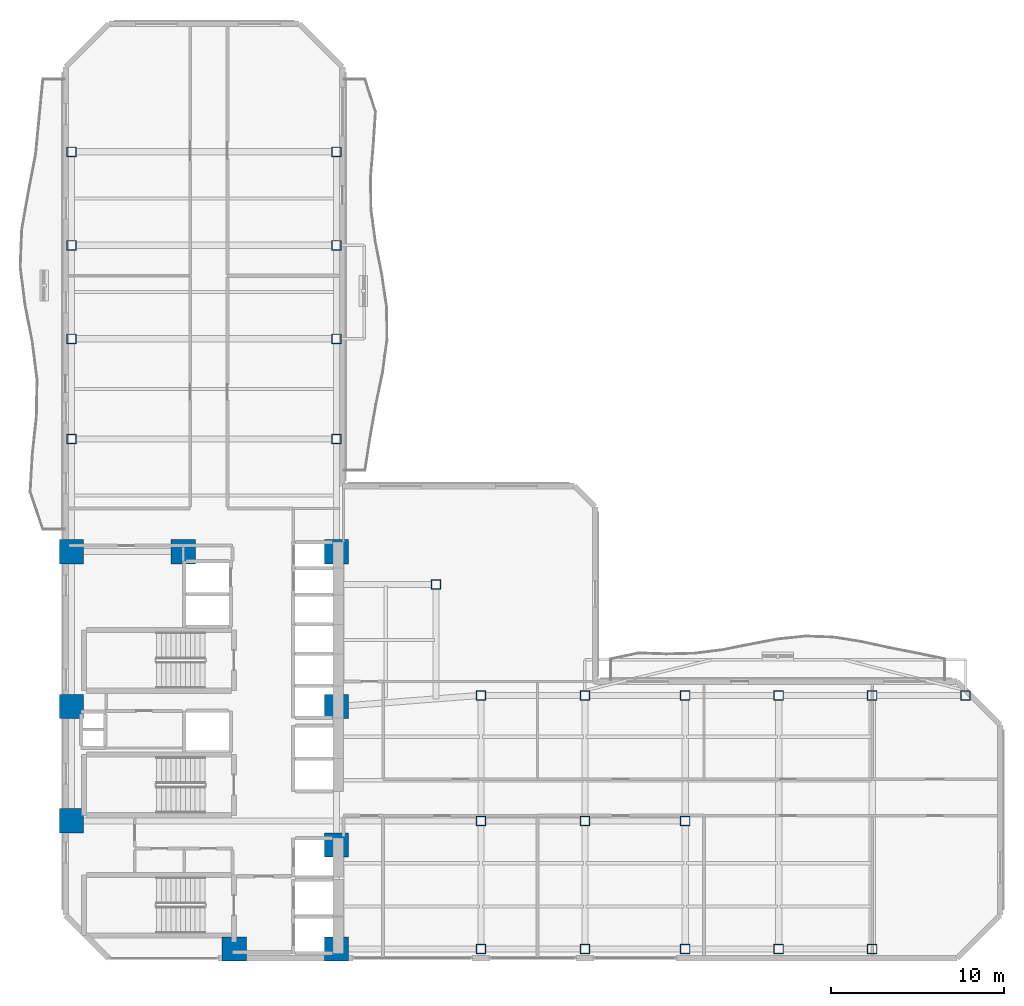
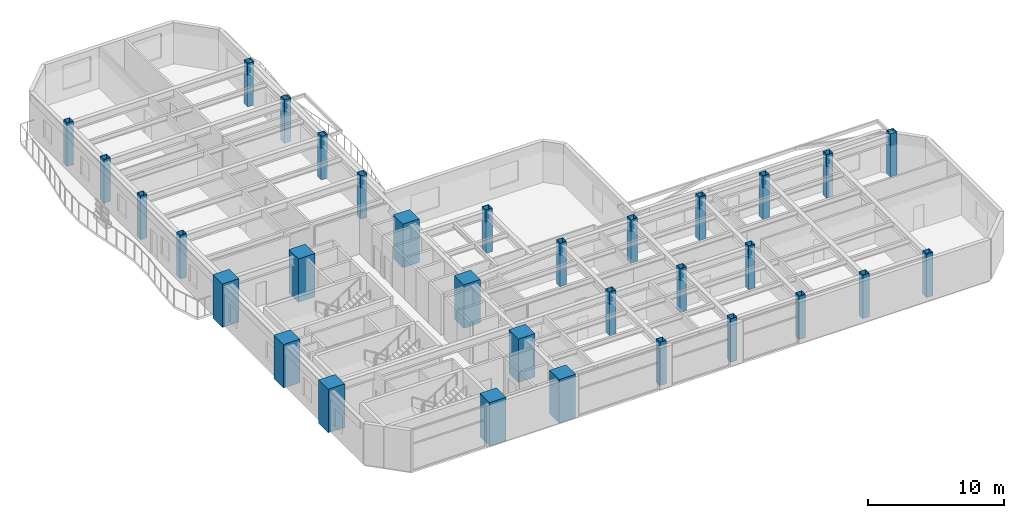
# One storey, part 1 of 16: 32 columns.
"""IFC4 building model written with IfcOpenShell, lengths in metres."""

from ifc_helpers import new_model, si_unit, direction, frame, origin, origin_2d, place, context, subcontext, project, spatial, rectangle, hollow_rectangle, extrude, material, material_profile, profile_set, type_object, element, save


model = new_model("IFC4")

# Units and contexts
model_context = context("Model", 3, precision=1e-05, world=origin(), true_north=direction((0.0, 1.0)))
body_context = subcontext(model_context, "Body", "Model", "MODEL_VIEW")
ifc_project = project(units=[si_unit("LENGTHUNIT", "METRE"), si_unit("AREAUNIT", "SQUARE_METRE"), si_unit("VOLUMEUNIT", "CUBIC_METRE"), si_unit("PLANEANGLEUNIT", "RADIAN"), si_unit("MASSUNIT", "GRAM", prefix="KILO")], contexts=[model_context])

# Site, building, storey
site_placement = place(None, origin())
site = spatial("IfcSite", under=ifc_project, at=site_placement, CompositionType="ELEMENT")
building_placement = place(site_placement, origin())
building = spatial("IfcBuilding", under=site, at=building_placement, Name="Mawjaban Terraces University", CompositionType="ELEMENT")
storey_placement = place(building_placement, frame((0.0, 0.0, 54.39990234375)))
storey = spatial("IfcBuildingStorey", under=building, at=storey_placement, Name="L12", CompositionType="ELEMENT", Elevation=54.39990234375)

# Columns
ifc_material_1 = material(Name="Concrete C70/85", Category="concrete")
ifc_material_profile_1 = material_profile(ifc_material_1, rectangle(XDim=1.39990234375, YDim=1.39990234375, at=origin_2d()), Name="RC1400X1400")
ifc_profile_set_1 = profile_set([ifc_material_profile_1], Name="Concrete C70/85")
column_type_1 = type_object("IfcColumnType", Name="Col_RC1400X1400", PredefinedType="COLUMN", material=ifc_profile_set_1)
for number, where, z_axis, x_axis, name in (
    (1, (31.75, 0.550048828125, 0.0), (0.0, 0.0, 1.0), (1.0, 0.0, 0.0), "L12 Column CC2"),
    (2, (37.64990234375, 0.550048828125, 0.0), (0.0, 0.0, 1.0), (1.0, 0.0, 0.0), "L12 Column CC3"),
    (3, (22.35009765625, 7.949951171875, 0.0), (0.0, 0.0, 1.0), (1.0, 0.0, 0.0), "L12 Column CC4"),
    (4, (37.64990234375, 6.550048828125, 0.0), (0.0, 0.0, 1.0), (1.0, 0.0, 0.0), "L12 Column CC5"),
    (5, (22.35009765625, 14.550048828125, 0.0), (0.0, 0.0, 1.0), (1.0, 0.0, 0.0), "L12 Column CC6"),
    (6, (37.64990234375, 14.550048828125, 0.0), (0.0, 0.0, 1.0), (1.0, 0.0, 0.0), "L12 Column CC7"),
    (7, (22.35009765625, 23.5, 0.0), (0.0, 0.0, 1.0), (1.0, 0.0, 0.0), "L12 Column CC8"),
    (8, (28.800048828125, 23.5, 0.0), (0.0, 0.0, 1.0), (1.0, 0.0, 0.0), "L12 Column CC9"),
    (9, (37.64990234375, 23.5, 0.0), (0.0, 0.0, 1.0), (1.0, 0.0, 0.0), "L12 Column CC10"),
):
    element("IfcColumn", number, at=place(storey_placement, frame(where, z_axis=z_axis, x_axis=x_axis)), inside=storey, type_object=column_type_1, Name=name, PredefinedType="COLUMN", context=body_context, shape_type="SweptSolid", body=[
        extrude(rectangle(XDim=1.39990234375, YDim=1.39990234375, at=origin_2d()), origin(), (0.0, 0.0, 1.0), 3.900146484375),
    ])
ifc_material_2 = material(Name="Steel EN 10210-1 S355J2H", Category="steel")
ifc_material_profile_2 = material_profile(ifc_material_2, hollow_rectangle(XDim=0.550048828125, YDim=0.550048828125, WallThickness=0.02490234375, at=origin_2d()), Name="SHS550X550X25")
ifc_profile_set_2 = profile_set([ifc_material_profile_2], Name="Steel EN 10210-1 S355J2H")
column_type_2 = type_object("IfcColumnType", Name="Col_SHS550X550X25", PredefinedType="COLUMN", material=ifc_profile_set_2)
for number, where, z_axis, x_axis, name in (
    (10, (46.0, 0.550048828125, 0.0), (0.0, 0.0, 1.0), (1.0, 0.0, 0.0), "L12 Column TE-460-005"),
    (11, (46.0, 7.949951171875, 0.0), (0.0, 0.0, 1.0), (1.0, 0.0, 0.0), "L12 Column TE-460-080"),
    (12, (46.0, 15.199951171875, 0.0), (0.0, 0.0, 1.0), (1.0, 0.0, 0.0), "L12 Column TE-460-152"),
    (13, (52.0, 0.550048828125, 0.0), (0.0, 0.0, 1.0), (1.0, 0.0, 0.0), "L12 Column TE-520-005"),
    (14, (52.0, 7.949951171875, 0.0), (0.0, 0.0, 1.0), (1.0, 0.0, 0.0), "L12 Column TE-520-080"),
    (15, (52.0, 15.199951171875, 0.0), (0.0, 0.0, 1.0), (1.0, 0.0, 0.0), "L12 Column TE-520-152"),
    (16, (57.800048828125, 0.550048828125, 0.0), (0.0, 0.0, 1.0), (1.0, 0.0, 0.0), "L12 Column TE-578-005"),
    (17, (57.800048828125, 7.949951171875, 0.0), (0.0, 0.0, 1.0), (1.0, 0.0, 0.0), "L12 Column TE-578-080"),
    (18, (57.800048828125, 15.199951171875, 0.0), (0.0, 0.0, 1.0), (1.0, 0.0, 0.0), "L12 Column TE-578-152"),
    (19, (63.199951171875, 0.550048828125, 0.0), (0.0, 0.0, 1.0), (1.0, 0.0, 0.0), "L12 Column TE-632-005"),
    (20, (63.199951171875, 15.199951171875, 0.0), (0.0, 0.0, 1.0), (1.0, 0.0, 0.0), "L12 Column TE-632-152"),
    (21, (68.60009765625, 0.550048828125, 0.0), (0.0, 0.0, 1.0), (1.0, 0.0, 0.0), "L12 Column TE-686-005"),
    (22, (68.60009765625, 15.199951171875, 0.0), (0.0, 0.0, 1.0), (1.0, 0.0, 0.0), "L12 Column TE-686-152"),
    (23, (74.0, 15.199951171875, 0.0), (0.0, 0.0, 1.0), (1.0, 0.0, 0.0), "L12 Column TE-740-152"),
    (24, (22.35009765625, 30.0, 0.0), (0.0, 0.0, 1.0), (1.0, 0.0, 0.0), "L12 Column TN-223-300"),
    (25, (37.64990234375, 30.0, 0.0), (0.0, 0.0, 1.0), (1.0, 0.0, 0.0), "L12 Column TN-376-300"),
    (26, (22.35009765625, 35.800048828125, 0.0), (0.0, 0.0, 1.0), (1.0, 0.0, 0.0), "L12 Column TN-223-358"),
    (27, (37.64990234375, 35.800048828125, 0.0), (0.0, 0.0, 1.0), (1.0, 0.0, 0.0), "L12 Column TN-376-358"),
    (28, (22.35009765625, 41.199951171875, 0.0), (0.0, 0.0, 1.0), (1.0, 0.0, 0.0), "L12 Column TN-223-412"),
    (29, (37.64990234375, 41.199951171875, 0.0), (0.0, 0.0, 1.0), (1.0, 0.0, 0.0), "L12 Column TN-376-412"),
    (30, (22.35009765625, 46.60009765625, 0.0), (0.0, 0.0, 1.0), (1.0, 0.0, 0.0), "L12 Column TN-223-466"),
    (31, (37.64990234375, 46.60009765625, 0.0), (0.0, 0.0, 1.0), (1.0, 0.0, 0.0), "L12 Column TN-376-466"),
    (32, (43.39990234375, 21.60009765625, 0.0), (0.0, 0.0, 1.0), (1.0, 0.0, 0.0), "L12 Column TS-434-216"),
):
    element("IfcColumn", number, at=place(storey_placement, frame(where, z_axis=z_axis, x_axis=x_axis)), inside=storey, type_object=column_type_2, Name=name, PredefinedType="COLUMN", context=body_context, shape_type="SweptSolid", body=[
        extrude(hollow_rectangle(XDim=0.550048828125, YDim=0.550048828125, WallThickness=0.02490234375, at=origin_2d()), origin(), (0.0, 0.0, 1.0), 3.900146484375),
    ])

save(model, "model.ifc")
